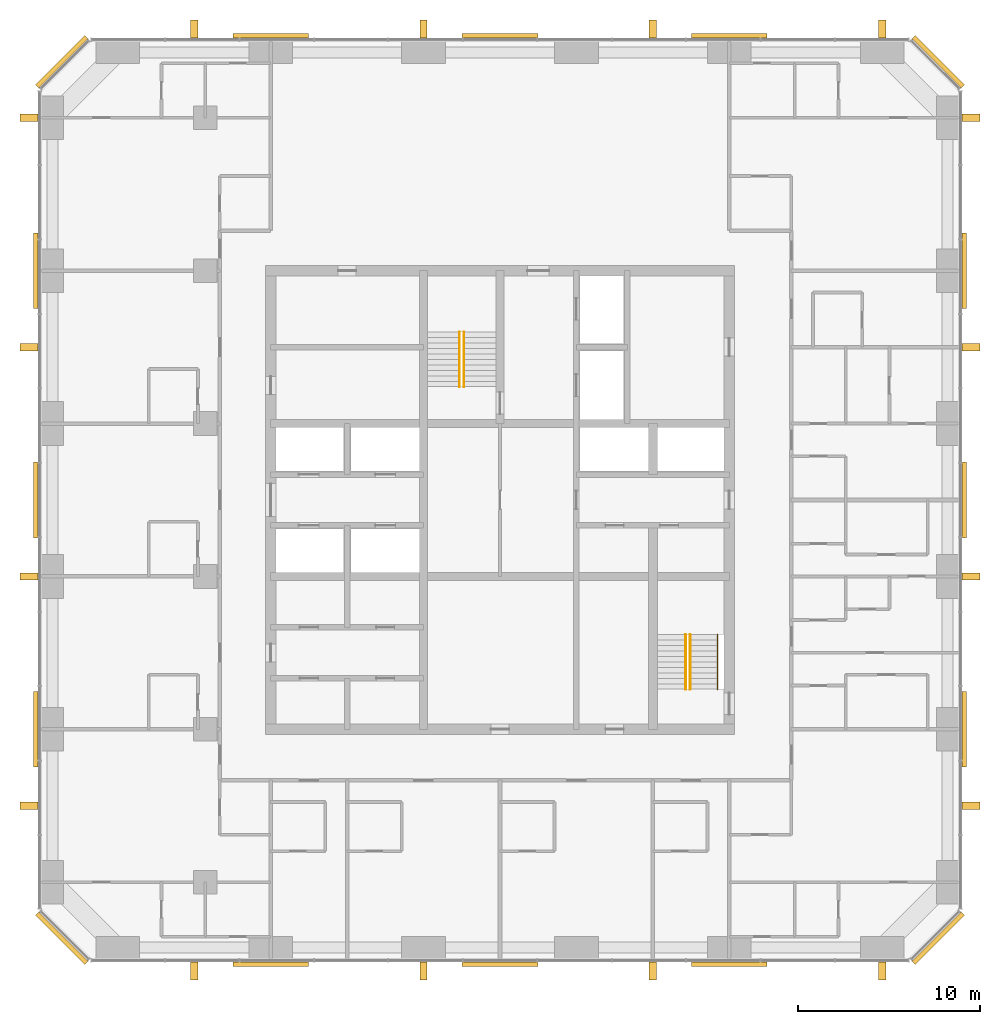
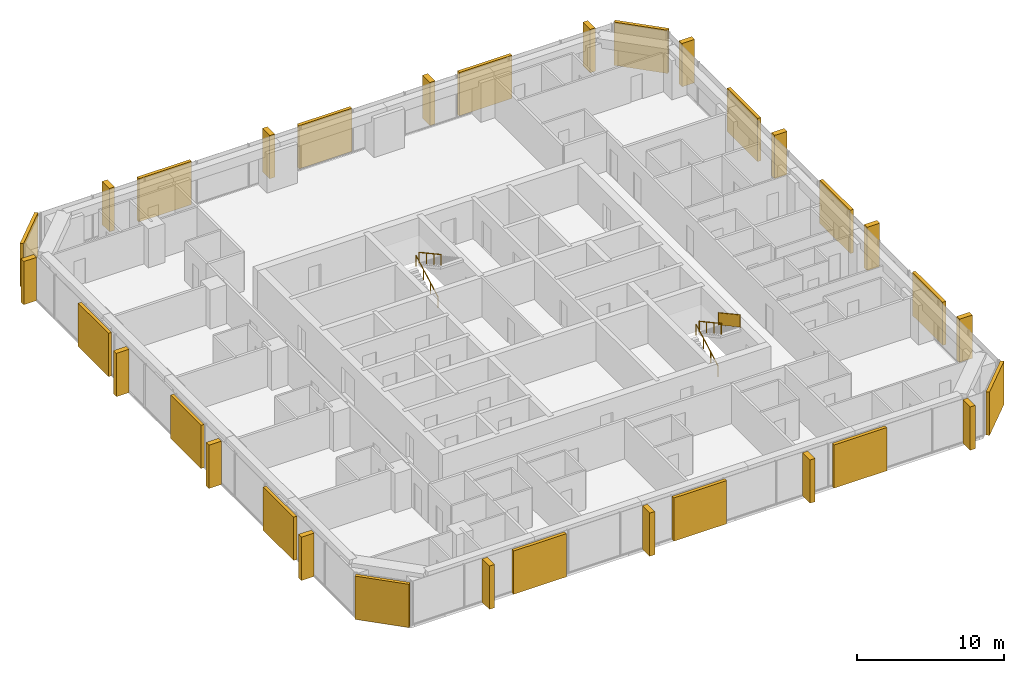
# One storey, part 13 of 13: 16 coverings, 16 shading devices, 5 railings.
"""IFC4 building model written with IfcOpenShell, lengths in metres."""

from ifc_helpers import new_model, si_unit, direction, frame, origin, origin_2d, place, context, subcontext, project, spatial, polyline, rectangle, circle, outline, extrude, material, layer, layer_set, type_object, element, save


model = new_model("IFC4")

# Units and contexts
model_context = context("Model", 3, precision=1e-05, world=origin(), true_north=direction((0.0, 1.0)))
body_context = subcontext(model_context, "Body", "Model", "MODEL_VIEW")
ifc_project = project(units=[si_unit("LENGTHUNIT", "METRE"), si_unit("AREAUNIT", "SQUARE_METRE"), si_unit("VOLUMEUNIT", "CUBIC_METRE"), si_unit("PLANEANGLEUNIT", "RADIAN"), si_unit("MASSUNIT", "GRAM", prefix="KILO")], contexts=[model_context])

# Site, building, storey
site_placement = place(None, origin())
site = spatial("IfcSite", under=ifc_project, at=site_placement, CompositionType="ELEMENT")
building_placement = place(site_placement, origin())
building = spatial("IfcBuilding", under=site, at=building_placement, Name="Dunama Terrace Hotel", CompositionType="ELEMENT")
storey_placement = place(building_placement, frame((0.0, 0.0, 187.800048828125)))
storey = spatial("IfcBuildingStorey", under=building, at=storey_placement, Name="L48", CompositionType="ELEMENT", Elevation=187.800048828125)

# Railings
ifc_material_1 = material(Name="Stainless steel and laminated glass guard", Category="steel")
railing_type_1 = type_object("IfcRailingType", Name="Guard 1100", PredefinedType="GUARDRAIL", material=ifc_material_1)
railing_1_placement = place(storey_placement, frame((41.35009765625, 22.0, 1.963623046875)))
element("IfcRailing", 1, at=railing_1_placement, inside=storey, type_object=railing_type_1, Name="Stair guard ST2 L48", PredefinedType="GUARDRAIL", context=body_context, shape_type="SweptSolid", body=[
    extrude(circle(Radius=0.02392578125, at=origin_2d()), frame((0.0, 0.0, 1.076171875), z_axis=(0.0, -0.877911954615, 0.47882209634), x_axis=(1.0, 0.0, 0.0)), (0.0, 0.0, 1.0), 3.417236328125),
    extrude(circle(Radius=0.02099609375, at=origin_2d()), origin(), (0.0, 0.0, 1.0), 1.052001953125),
    extrude(circle(Radius=0.02099609375, at=origin_2d()), frame((0.0, -1.0, 0.54541015625)), (0.0, 0.0, 1.0), 1.052001953125),
    extrude(circle(Radius=0.02099609375, at=origin_2d()), frame((0.0, -2.0, 1.0908203125)), (0.0, 0.0, 1.0), 1.052001953125),
    extrude(circle(Radius=0.02099609375, at=origin_2d()), frame((0.0, -3.0, 1.63623046875)), (0.0, 0.0, 1.0), 1.052001953125),
    extrude(outline(polyline([(0.0048828125, 0.052734375), (0.9951171875, 0.5927734375), (0.9951171875, 1.618896484375), (0.0048828125, 1.07861328125), (0.0048828125, 0.052734375)])), frame((0.0087890625, 0.0, 0.0), z_axis=(-1.0, 0.0, 0.0), x_axis=(0.0, -1.0, 0.0)), (0.0, 0.0, 1.0), 0.017578125),
    extrude(outline(polyline([(0.0048828125, 0.052734375), (0.9951171875, 0.5927734375), (0.9951171875, 1.618896484375), (0.0048828125, 1.07861328125), (0.0048828125, 0.052734375)])), frame((0.0087890625, -1.0, 0.54541015625), z_axis=(-1.0, 0.0, 0.0), x_axis=(0.0, -1.0, 0.0)), (0.0, 0.0, 1.0), 0.017578125),
    extrude(outline(polyline([(0.0048828125, 0.052734375), (0.9951171875, 0.5927734375), (0.9951171875, 1.618896484375), (0.0048828125, 1.07861328125), (0.0048828125, 0.052734375)])), frame((0.0087890625, -2.0, 1.0908203125), z_axis=(-1.0, 0.0, 0.0), x_axis=(0.0, -1.0, 0.0)), (0.0, 0.0, 1.0), 0.017578125),
])
ifc_material_2 = material(Name="Stainless steel handrail", Category="steel")
railing_type_2 = type_object("IfcRailingType", Name="Stair handrail 900", PredefinedType="HANDRAIL", material=ifc_material_2)
railing_2_placement = place(storey_placement, frame((27.175048828125, 35.625, 0.16357421875)))
element("IfcRailing", 2, at=railing_2_placement, inside=storey, type_object=railing_type_2, Name="Handrail ST1 L48", PredefinedType="HANDRAIL", context=body_context, shape_type="SweptSolid", body=[
    extrude(circle(Radius=0.02392578125, at=origin_2d()), frame((0.0, 0.0, 0.8759765625), z_axis=(0.0, 0.877881921179, 0.478877158013), x_axis=(-1.0, 0.0, 0.0)), (0.0, 0.0, 1.0), 3.417236328125),
    extrude(circle(Radius=0.02099609375, at=origin_2d()), origin(), (0.0, 0.0, 1.0), 0.851806640625),
    extrude(circle(Radius=0.02099609375, at=origin_2d()), frame((0.0, 1.0, 0.54541015625)), (0.0, 0.0, 1.0), 0.851806640625),
    extrude(circle(Radius=0.02099609375, at=origin_2d()), frame((0.0, 2.0, 1.091064453125)), (0.0, 0.0, 1.0), 0.851806640625),
    extrude(circle(Radius=0.02099609375, at=origin_2d()), frame((0.0, 3.0, 1.636474609375)), (0.0, 0.0, 1.0), 0.851806640625),
])
railing_3_placement = place(storey_placement, frame((27.425048828125, 38.625, 1.963623046875)))
element("IfcRailing", 3, at=railing_3_placement, inside=storey, type_object=railing_type_2, Name="Handrail ST1 L48", PredefinedType="HANDRAIL", context=body_context, shape_type="SweptSolid", body=[
    extrude(circle(Radius=0.02392578125, at=origin_2d()), frame((0.0, 0.0, 0.8759765625), z_axis=(0.0, -0.877911954615, 0.47882209634), x_axis=(1.0, 0.0, 0.0)), (0.0, 0.0, 1.0), 3.417236328125),
    extrude(circle(Radius=0.02099609375, at=origin_2d()), origin(), (0.0, 0.0, 1.0), 0.851806640625),
    extrude(circle(Radius=0.02099609375, at=origin_2d()), frame((0.0, -1.0, 0.54541015625)), (0.0, 0.0, 1.0), 0.851806640625),
    extrude(circle(Radius=0.02099609375, at=origin_2d()), frame((0.0, -2.0, 1.0908203125)), (0.0, 0.0, 1.0), 0.851806640625),
    extrude(circle(Radius=0.02099609375, at=origin_2d()), frame((0.0, -3.0, 1.63623046875)), (0.0, 0.0, 1.0), 0.851806640625),
])
railing_4_placement = place(storey_placement, frame((39.60009765625, 19.0, 0.16357421875)))
element("IfcRailing", 4, at=railing_4_placement, inside=storey, type_object=railing_type_2, Name="Handrail ST2 L48", PredefinedType="HANDRAIL", context=body_context, shape_type="SweptSolid", body=[
    extrude(circle(Radius=0.02392578125, at=origin_2d()), frame((0.0, 0.0, 0.8759765625), z_axis=(0.0, 0.877881921179, 0.478877158013), x_axis=(-1.0, 0.0, 0.0)), (0.0, 0.0, 1.0), 3.417236328125),
    extrude(circle(Radius=0.02099609375, at=origin_2d()), origin(), (0.0, 0.0, 1.0), 0.851806640625),
    extrude(circle(Radius=0.02099609375, at=origin_2d()), frame((0.0, 1.0, 0.54541015625)), (0.0, 0.0, 1.0), 0.851806640625),
    extrude(circle(Radius=0.02099609375, at=origin_2d()), frame((0.0, 2.0, 1.091064453125)), (0.0, 0.0, 1.0), 0.851806640625),
    extrude(circle(Radius=0.02099609375, at=origin_2d()), frame((0.0, 3.0, 1.636474609375)), (0.0, 0.0, 1.0), 0.851806640625),
])
railing_5_placement = place(storey_placement, frame((39.85009765625, 22.0, 1.963623046875)))
element("IfcRailing", 5, at=railing_5_placement, inside=storey, type_object=railing_type_2, Name="Handrail ST2 L48", PredefinedType="HANDRAIL", context=body_context, shape_type="SweptSolid", body=[
    extrude(circle(Radius=0.02392578125, at=origin_2d()), frame((0.0, 0.0, 0.8759765625), z_axis=(0.0, -0.877911954615, 0.47882209634), x_axis=(1.0, 0.0, 0.0)), (0.0, 0.0, 1.0), 3.417236328125),
    extrude(circle(Radius=0.02099609375, at=origin_2d()), origin(), (0.0, 0.0, 1.0), 0.851806640625),
    extrude(circle(Radius=0.02099609375, at=origin_2d()), frame((0.0, -1.0, 0.54541015625)), (0.0, 0.0, 1.0), 0.851806640625),
    extrude(circle(Radius=0.02099609375, at=origin_2d()), frame((0.0, -2.0, 1.0908203125)), (0.0, 0.0, 1.0), 0.851806640625),
    extrude(circle(Radius=0.02099609375, at=origin_2d()), frame((0.0, -3.0, 1.63623046875)), (0.0, 0.0, 1.0), 0.851806640625),
])

# Coverings
ifc_material_3 = material(Name="Warm reconstituted stone panel", Category="masonry")
ifc_layer_1 = layer(ifc_material_3, 0.25)
ifc_layer_set_1 = layer_set([ifc_layer_1], Name="Stone diagonal panel")
covering_type = type_object("IfcCoveringType", Name="Stone diagonal panel", PredefinedType="CLADDING", material=ifc_layer_set_1)
for number, where, z_axis, x_axis, name in (
    (6, (16.800048828125, 3.876953125, 0.001953125), (0.0, 0.0, 1.0), (1.0, 0.0, 0.0), "Stone diagonal panel L48"),
    (7, (29.39990234375, 3.876953125, 0.001953125), (0.0, 0.0, 1.0), (1.0, 0.0, 0.0), "Stone diagonal panel L48"),
    (8, (42.0, 3.876953125, 0.001953125), (0.0, 0.0, 1.0), (1.0, 0.0, 0.0), "Stone diagonal panel L48"),
):
    element("IfcCovering", number, at=place(storey_placement, frame(where, z_axis=z_axis, x_axis=x_axis)), inside=storey, type_object=covering_type, Name=name, PredefinedType="CLADDING", context=body_context, shape_type="SweptSolid", body=[
        extrude(rectangle(XDim=4.14990234375, YDim=0.25, at=origin_2d()), origin(), (0.0, 0.0, 1.0), 3.595947265625),
    ])
covering_1_placement = place(storey_placement, frame((53.47900390625, 5.321044921875, 0.001953125), z_axis=(0.0, 0.0, 1.0), x_axis=(0.707106781187, 0.707106781187, 0.0)))
element("IfcCovering", 9, at=covering_1_placement, inside=storey, type_object=covering_type, Name="Stone diagonal panel L48", PredefinedType="CLADDING", context=body_context, shape_type="SweptSolid", body=[
    extrude(rectangle(XDim=3.808349609375, YDim=0.25, at=origin_2d()), origin(), (0.0, 0.0, 1.0), 3.595947265625),
])
for number, where, z_axis, x_axis, name in (
    (10, (54.923095703125, 16.800048828125, 0.001953125), (0.0, 0.0, 1.0), (0.0, 1.0, 0.0), "Stone diagonal panel L48"),
    (11, (54.923095703125, 29.39990234375, 0.001953125), (0.0, 0.0, 1.0), (0.0, 1.0, 0.0), "Stone diagonal panel L48"),
    (12, (54.923095703125, 42.0, 0.001953125), (0.0, 0.0, 1.0), (0.0, 1.0, 0.0), "Stone diagonal panel L48"),
):
    element("IfcCovering", number, at=place(storey_placement, frame(where, z_axis=z_axis, x_axis=x_axis)), inside=storey, type_object=covering_type, Name=name, PredefinedType="CLADDING", context=body_context, shape_type="SweptSolid", body=[
        extrude(rectangle(XDim=4.14990234375, YDim=0.25, at=origin_2d()), origin(), (0.0, 0.0, 1.0), 3.595947265625),
    ])
covering_2_placement = place(storey_placement, frame((53.47900390625, 53.47900390625, 0.001953125), z_axis=(0.0, 0.0, 1.0), x_axis=(-0.707106781187, 0.707106781187, 0.0)))
element("IfcCovering", 13, at=covering_2_placement, inside=storey, type_object=covering_type, Name="Stone diagonal panel L48", PredefinedType="CLADDING", context=body_context, shape_type="SweptSolid", body=[
    extrude(rectangle(XDim=3.808349609375, YDim=0.25, at=origin_2d()), origin(), (0.0, 0.0, 1.0), 3.595947265625),
])
for number, where, z_axis, x_axis, name in (
    (14, (42.0, 54.923095703125, 0.001953125), (0.0, 0.0, 1.0), (-1.0, 0.0, 0.0), "Stone diagonal panel L48"),
    (15, (29.39990234375, 54.923095703125, 0.001953125), (0.0, 0.0, 1.0), (-1.0, 0.0, 0.0), "Stone diagonal panel L48"),
    (16, (16.800048828125, 54.923095703125, 0.001953125), (0.0, 0.0, 1.0), (-1.0, 0.0, 0.0), "Stone diagonal panel L48"),
):
    element("IfcCovering", number, at=place(storey_placement, frame(where, z_axis=z_axis, x_axis=x_axis)), inside=storey, type_object=covering_type, Name=name, PredefinedType="CLADDING", context=body_context, shape_type="SweptSolid", body=[
        extrude(rectangle(XDim=4.14990234375, YDim=0.25, at=origin_2d()), origin(), (0.0, 0.0, 1.0), 3.595947265625),
    ])
covering_3_placement = place(storey_placement, frame((5.321044921875, 53.47900390625, 0.001953125), z_axis=(0.0, 0.0, 1.0), x_axis=(-0.707106781187, -0.707106781187, 0.0)))
element("IfcCovering", 17, at=covering_3_placement, inside=storey, type_object=covering_type, Name="Stone diagonal panel L48", PredefinedType="CLADDING", context=body_context, shape_type="SweptSolid", body=[
    extrude(rectangle(XDim=3.808349609375, YDim=0.25, at=origin_2d()), origin(), (0.0, 0.0, 1.0), 3.595947265625),
])
for number, where, z_axis, x_axis, name in (
    (18, (3.876953125, 42.0, 0.001953125), (0.0, 0.0, 1.0), (0.0, -1.0, 0.0), "Stone diagonal panel L48"),
    (19, (3.876953125, 29.39990234375, 0.001953125), (0.0, 0.0, 1.0), (0.0, -1.0, 0.0), "Stone diagonal panel L48"),
    (20, (3.876953125, 16.800048828125, 0.001953125), (0.0, 0.0, 1.0), (0.0, -1.0, 0.0), "Stone diagonal panel L48"),
):
    element("IfcCovering", number, at=place(storey_placement, frame(where, z_axis=z_axis, x_axis=x_axis)), inside=storey, type_object=covering_type, Name=name, PredefinedType="CLADDING", context=body_context, shape_type="SweptSolid", body=[
        extrude(rectangle(XDim=4.14990234375, YDim=0.25, at=origin_2d()), origin(), (0.0, 0.0, 1.0), 3.595947265625),
    ])
covering_4_placement = place(storey_placement, frame((5.321044921875, 5.321044921875, 0.001953125), z_axis=(0.0, 0.0, 1.0), x_axis=(0.707106781187, -0.707106781187, 0.0)))
element("IfcCovering", 21, at=covering_4_placement, inside=storey, type_object=covering_type, Name="Stone diagonal panel L48", PredefinedType="CLADDING", context=body_context, shape_type="SweptSolid", body=[
    extrude(rectangle(XDim=3.808349609375, YDim=0.25, at=origin_2d()), origin(), (0.0, 0.0, 1.0), 3.595947265625),
])

# Shading devices
ifc_material_4 = material(Name="Warm reconstituted stone fin", Category="masonry")
ifc_layer_2 = layer(ifc_material_4, 0.39990234375)
ifc_layer_set_2 = layer_set([ifc_layer_2], Name="Warm stone fin 400x1000")
shading_device_type = type_object("IfcShadingDeviceType", Name="Warm stone fin 400x1000", PredefinedType="USERDEFINED", material=ifc_layer_set_2)
for number, where, z_axis, x_axis, name in (
    (22, (12.60009765625, 3.52197265625, 0.0), (0.0, 0.0, 1.0), (1.0, 0.0, 0.0), "Stone fin"),
    (23, (25.199951171875, 3.52197265625, 0.0), (0.0, 0.0, 1.0), (1.0, 0.0, 0.0), "Stone fin"),
    (24, (37.800048828125, 3.52197265625, 0.0), (0.0, 0.0, 1.0), (1.0, 0.0, 0.0), "Stone fin"),
    (25, (50.39990234375, 3.52197265625, 0.0), (0.0, 0.0, 1.0), (1.0, 0.0, 0.0), "Stone fin"),
    (26, (55.278076171875, 12.60009765625, 0.0), (0.0, 0.0, 1.0), (0.0, 1.0, 0.0), "Stone fin"),
    (27, (55.278076171875, 25.199951171875, 0.0), (0.0, 0.0, 1.0), (0.0, 1.0, 0.0), "Stone fin"),
    (28, (55.278076171875, 37.800048828125, 0.0), (0.0, 0.0, 1.0), (0.0, 1.0, 0.0), "Stone fin"),
    (29, (55.278076171875, 50.39990234375, 0.0), (0.0, 0.0, 1.0), (0.0, 1.0, 0.0), "Stone fin"),
    (30, (50.39990234375, 55.278076171875, 0.0), (0.0, 0.0, 1.0), (-1.0, 0.0, 0.0), "Stone fin"),
    (31, (37.800048828125, 55.278076171875, 0.0), (0.0, 0.0, 1.0), (-1.0, 0.0, 0.0), "Stone fin"),
    (32, (25.199951171875, 55.278076171875, 0.0), (0.0, 0.0, 1.0), (-1.0, 0.0, 0.0), "Stone fin"),
    (33, (12.60009765625, 55.278076171875, 0.0), (0.0, 0.0, 1.0), (-1.0, 0.0, 0.0), "Stone fin"),
    (34, (3.52197265625, 50.39990234375, 0.0), (0.0, 0.0, 1.0), (0.0, -1.0, 0.0), "Stone fin"),
    (35, (3.52197265625, 37.800048828125, 0.0), (0.0, 0.0, 1.0), (0.0, -1.0, 0.0), "Stone fin"),
    (36, (3.52197265625, 25.199951171875, 0.0), (0.0, 0.0, 1.0), (0.0, -1.0, 0.0), "Stone fin"),
    (37, (3.52197265625, 12.60009765625, 0.0), (0.0, 0.0, 1.0), (0.0, -1.0, 0.0), "Stone fin"),
):
    element("IfcShadingDevice", number, at=place(storey_placement, frame(where, z_axis=z_axis, x_axis=x_axis)), inside=storey, type_object=shading_device_type, Name=name, ObjectType="FIN", PredefinedType="USERDEFINED", context=body_context, shape_type="SweptSolid", body=[
        extrude(rectangle(XDim=0.39990234375, YDim=1.0, at=origin_2d()), origin(), (0.0, 0.0, 1.0), 3.60009765625),
    ])

save(model, "model.ifc")
